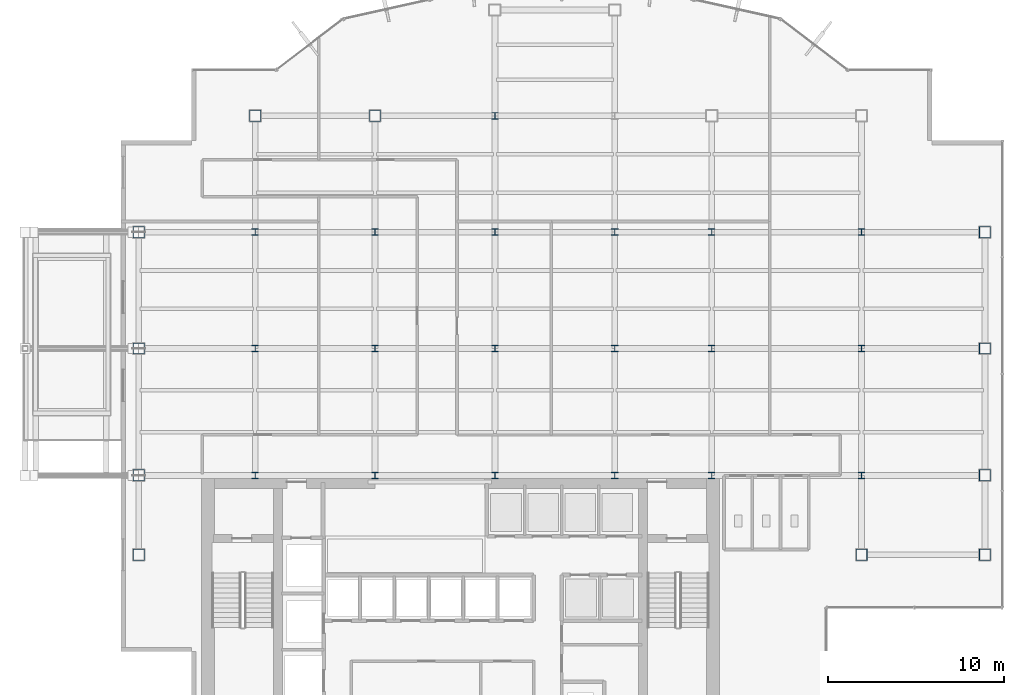
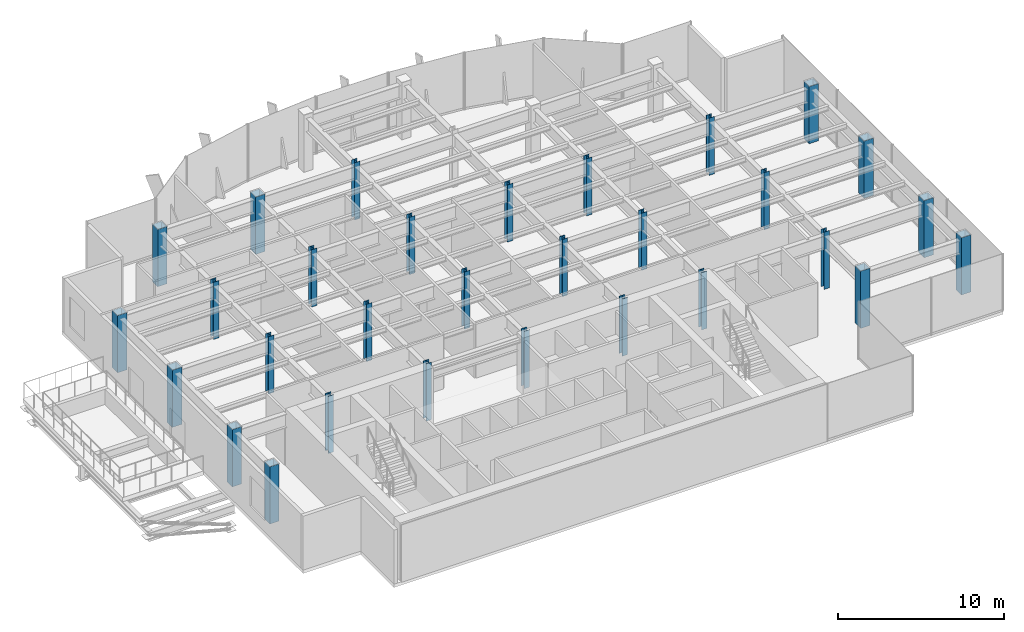
# One storey, part 1 of 26: 30 columns.
"""IFC4 building model written with IfcOpenShell, lengths in metres."""

from ifc_helpers import new_model, si_unit, derived_unit, direction, frame, origin, origin_2d, place, context, subcontext, project, spatial, hollow_rectangle, i_section, extrude, source, transform, mapped, material, material_profile, profile_set, type_object, element, save


model = new_model("IFC4")

# Units and contexts
model_context = context("Model", 3, precision=1e-05, world=origin(), true_north=direction((0.0, 1.0)))
body_context = subcontext(model_context, "Body", "Model", "MODEL_VIEW")
ifc_project = project(units=[si_unit("LENGTHUNIT", "METRE"), si_unit("AREAUNIT", "SQUARE_METRE"), si_unit("VOLUMEUNIT", "CUBIC_METRE"), si_unit("PLANEANGLEUNIT", "RADIAN"), si_unit("MASSUNIT", "GRAM", prefix="KILO"), derived_unit("THERMALTRANSMITTANCEUNIT", [(si_unit("POWERUNIT", "WATT"), 1), (si_unit("LENGTHUNIT", "METRE"), -2), (si_unit("THERMODYNAMICTEMPERATUREUNIT", "KELVIN"), -1)])], contexts=[model_context])

# Site, building, storey
site_placement = place(None, origin())
site = spatial("IfcSite", under=ifc_project, at=site_placement, CompositionType="ELEMENT")
building_placement = place(site_placement, origin())
building = spatial("IfcBuilding", under=site, at=building_placement, Name="Skarnbrae Concourse Arena and Tower", CompositionType="ELEMENT")
storey_placement = place(building_placement, frame((0.0, 0.0, 184.39990234375)))
storey = spatial("IfcBuildingStorey", under=building, at=storey_placement, Name="L47", CompositionType="ELEMENT", Elevation=184.39990234375)

# Columns
ifc_material = material(Name="Steel CSA G40.21 350W", Category="steel")
ifc_material_profile_1 = material_profile(ifc_material, hollow_rectangle(XDim=0.64990234375, YDim=0.64990234375, WallThickness=0.031982421875, at=origin_2d()), Name="BOX650X650X32")
ifc_profile_set_1 = profile_set([ifc_material_profile_1], Name="Steel CSA G40.21 350W")
column_type_1 = type_object("IfcColumnType", Name="COL-TUBE-BOX650", PredefinedType="COLUMN", material=ifc_profile_set_1)
shared_shape_1 = source(origin(), body_context, "Body", "SweptSolid", [
    extrude(hollow_rectangle(XDim=0.64990234375, YDim=0.64990234375, WallThickness=0.031982421875, at=origin_2d()), origin(), (0.0, 0.0, 1.0), 4.2001953125),
])
for number, where, z_axis, x_axis, name in (
    (1, (1.0, 9.5, 0.0), (0.0, 0.0, 1.0), (1.0, 0.0, 0.0), "L47 Tower column PC_01_01"),
    (2, (1.0, 14.0, 0.0), (0.0, 0.0, 1.0), (1.0, 0.0, 0.0), "L47 Tower column PC_01_02"),
    (3, (1.0, 21.199951171875, 0.0), (0.0, 0.0, 1.0), (1.0, 0.0, 0.0), "L47 Tower column PC_01_03"),
    (4, (1.0, 27.800048828125, 0.0), (0.0, 0.0, 1.0), (1.0, 0.0, 0.0), "L47 Tower column PC_01_04"),
    (5, (7.60009765625, 34.39990234375, 0.0), (0.0, 0.0, 1.0), (1.0, 0.0, 0.0), "L47 Tower column PC_02_05"),
    (6, (14.39990234375, 34.39990234375, 0.0), (0.0, 0.0, 1.0), (1.0, 0.0, 0.0), "L47 Tower column PC_03_05"),
    (7, (42.0, 9.5, 0.0), (0.0, 0.0, 1.0), (1.0, 0.0, 0.0), "L47 Tower column PC_07_01"),
    (8, (49.0, 9.5, 0.0), (0.0, 0.0, 1.0), (1.0, 0.0, 0.0), "L47 Tower column PC_08_01"),
    (9, (49.0, 14.0, 0.0), (0.0, 0.0, 1.0), (1.0, 0.0, 0.0), "L47 Tower column PC_08_02"),
    (10, (49.0, 21.199951171875, 0.0), (0.0, 0.0, 1.0), (1.0, 0.0, 0.0), "L47 Tower column PC_08_03"),
    (11, (49.0, 27.800048828125, 0.0), (0.0, 0.0, 1.0), (1.0, 0.0, 0.0), "L47 Tower column PC_08_04"),
):
    element("IfcColumn", number, at=place(storey_placement, frame(where, z_axis=z_axis, x_axis=x_axis)), inside=storey, type_object=column_type_1, Name=name, PredefinedType="COLUMN", context=body_context, shape_type="MappedRepresentation", body=[
        mapped(shared_shape_1, transform((0.0, 0.0, 0.0))),
    ])
ifc_material_profile_2 = material_profile(ifc_material, i_section(OverallWidth=0.3740234375, OverallDepth=0.3720703125, WebThickness=0.016357421875, FlangeThickness=0.026123046875, at=origin_2d()), Name="W360X196")
ifc_profile_set_2 = profile_set([ifc_material_profile_2], Name="Steel CSA G40.21 350W")
column_type_2 = type_object("IfcColumnType", Name="COL-INT-W360X196", PredefinedType="COLUMN", material=ifc_profile_set_2)
shared_shape_2 = source(origin(), body_context, "Body", "SweptSolid", [
    extrude(i_section(OverallWidth=0.3740234375, OverallDepth=0.3720703125, WebThickness=0.016357421875, FlangeThickness=0.026123046875, at=origin_2d()), origin(), (0.0, 0.0, 1.0), 4.2001953125),
])
for number, where, z_axis, x_axis, name in (
    (12, (7.60009765625, 14.0, 0.0), (0.0, 0.0, 1.0), (1.0, 0.0, 0.0), "L47 Tower column IC_02_02"),
    (13, (7.60009765625, 21.199951171875, 0.0), (0.0, 0.0, 1.0), (1.0, 0.0, 0.0), "L47 Tower column IC_02_03"),
    (14, (7.60009765625, 27.800048828125, 0.0), (0.0, 0.0, 1.0), (1.0, 0.0, 0.0), "L47 Tower column IC_02_04"),
    (15, (14.39990234375, 14.0, 0.0), (0.0, 0.0, 1.0), (1.0, 0.0, 0.0), "L47 Tower column IC_03_02"),
    (16, (14.39990234375, 21.199951171875, 0.0), (0.0, 0.0, 1.0), (1.0, 0.0, 0.0), "L47 Tower column IC_03_03"),
    (17, (14.39990234375, 27.800048828125, 0.0), (0.0, 0.0, 1.0), (1.0, 0.0, 0.0), "L47 Tower column IC_03_04"),
    (18, (21.199951171875, 14.0, 0.0), (0.0, 0.0, 1.0), (1.0, 0.0, 0.0), "L47 Tower column IC_04_02"),
    (19, (21.199951171875, 21.199951171875, 0.0), (0.0, 0.0, 1.0), (1.0, 0.0, 0.0), "L47 Tower column IC_04_03"),
    (20, (21.199951171875, 27.800048828125, 0.0), (0.0, 0.0, 1.0), (1.0, 0.0, 0.0), "L47 Tower column IC_04_04"),
    (21, (21.199951171875, 34.39990234375, 0.0), (0.0, 0.0, 1.0), (1.0, 0.0, 0.0), "L47 Tower column IC_04_05"),
    (22, (28.0, 14.0, 0.0), (0.0, 0.0, 1.0), (1.0, 0.0, 0.0), "L47 Tower column IC_05_02"),
    (23, (28.0, 21.199951171875, 0.0), (0.0, 0.0, 1.0), (1.0, 0.0, 0.0), "L47 Tower column IC_05_03"),
    (24, (28.0, 27.800048828125, 0.0), (0.0, 0.0, 1.0), (1.0, 0.0, 0.0), "L47 Tower column IC_05_04"),
    (25, (33.5, 14.0, 0.0), (0.0, 0.0, 1.0), (1.0, 0.0, 0.0), "L47 Tower column IC_06_02"),
    (26, (33.5, 21.199951171875, 0.0), (0.0, 0.0, 1.0), (1.0, 0.0, 0.0), "L47 Tower column IC_06_03"),
    (27, (33.5, 27.800048828125, 0.0), (0.0, 0.0, 1.0), (1.0, 0.0, 0.0), "L47 Tower column IC_06_04"),
    (28, (42.0, 14.0, 0.0), (0.0, 0.0, 1.0), (1.0, 0.0, 0.0), "L47 Tower column IC_07_02"),
    (29, (42.0, 21.199951171875, 0.0), (0.0, 0.0, 1.0), (1.0, 0.0, 0.0), "L47 Tower column IC_07_03"),
    (30, (42.0, 27.800048828125, 0.0), (0.0, 0.0, 1.0), (1.0, 0.0, 0.0), "L47 Tower column IC_07_04"),
):
    element("IfcColumn", number, at=place(storey_placement, frame(where, z_axis=z_axis, x_axis=x_axis)), inside=storey, type_object=column_type_2, Name=name, PredefinedType="COLUMN", context=body_context, shape_type="MappedRepresentation", body=[
        mapped(shared_shape_2, transform((0.0, 0.0, 0.0))),
    ])

save(model, "model.ifc")
